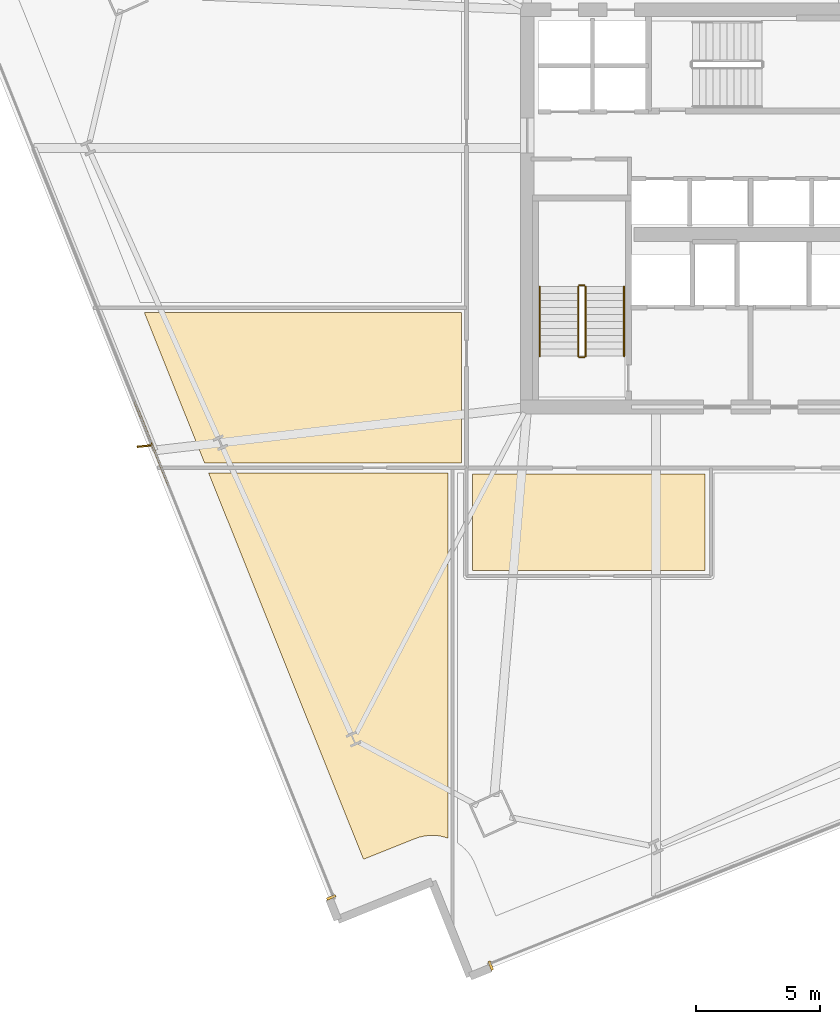
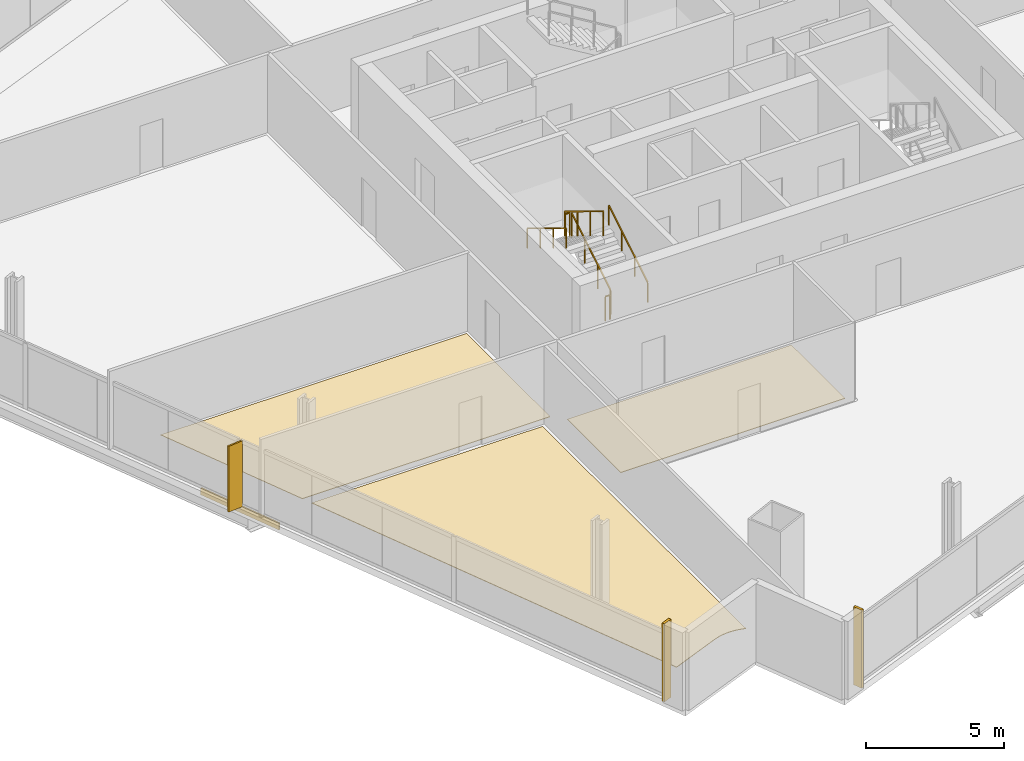
# One storey, part 28 of 33: 6 coverings, 6 railings, 1 shading device.
"""IFC4 building model written with IfcOpenShell, lengths in metres."""

import ifcopenshell
import ifcopenshell.guid

model = None  # the IFC model being written
_history = None  # IfcOwnerHistory: only IFC2X3 demands one
_inside = {}  # id of a spatial element -> (the spatial element, [elements in it])
_under = {}  # id of a project, library or spatial element -> (it, [spatial elements below it])
_declared = {}  # id of a project -> (the project, [libraries it declares])
_typed = {}  # id of a type object -> (the type object, [elements of that type])
_made_of = {}  # id of a material, layer set ... -> (it, [elements and type objects made of it])


def new_model(schema):
    """Start an empty IFC model of exactly this schema.

    Asked for "IFC4X3", IfcOpenShell would pick the latest addendum, in which some entities
    have other attributes; the version numbers below select the first issue.
    IFC2X3 requires an IfcOwnerHistory on every rooted entity: one is made here for all.
    """
    global model, _history
    if schema == "IFC4X3":
        model = ifcopenshell.file(schema_version=(4, 3, 0, 0))
    else:
        model = ifcopenshell.file(schema=schema)
    _inside.clear()
    _under.clear()
    _declared.clear()
    _typed.clear()
    _made_of.clear()
    _history = None
    if model.schema == "IFC2X3":
        org = make("IfcOrganization", Name="unknown")
        user = make(
            "IfcPersonAndOrganization",
            ThePerson=make("IfcPerson", FamilyName="unknown"),
            TheOrganization=org,
        )
        app = make(
            "IfcApplication",
            ApplicationDeveloper=org,
            Version="unknown",
            ApplicationFullName="unknown",
            ApplicationIdentifier="unknown",
        )
        _history = make(
            "IfcOwnerHistory",
            OwningUser=user,
            OwningApplication=app,
            ChangeAction="ADDED",
            CreationDate=0,
        )
    return model


def make(cls, **values):
    """One entity of the class cls with the attributes given. An attribute that is None is left unset."""
    return model.create_entity(
        cls, **{name: value for name, value in values.items() if value is not None}
    )


def rooted(cls, **values):
    """An entity with a GlobalId (a new one), such as an element, a storey or a relation."""
    return make(cls, GlobalId=ifcopenshell.guid.new(), OwnerHistory=_history, **values)


def si_unit(unit_type, name, prefix=None):
    """IfcSIUnit, for example si_unit("LENGTHUNIT", "METRE", prefix="MILLI")."""
    return make("IfcSIUnit", UnitType=unit_type, Prefix=prefix, Name=name)


def assignment(units):
    """IfcUnitAssignment: the units of a project."""
    return None if units is None else make("IfcUnitAssignment", Units=units)


def point(xyz):
    """IfcCartesianPoint."""
    return None if xyz is None else make("IfcCartesianPoint", Coordinates=xyz)


def direction(xyz):
    """IfcDirection."""
    return None if xyz is None else make("IfcDirection", DirectionRatios=xyz)


def frame(location, z_axis=None, x_axis=None):
    """IfcAxis2Placement3D, a coordinate frame: its origin and axes. An axis left out is left unset."""
    return make(
        "IfcAxis2Placement3D",
        Location=point(location),
        Axis=direction(z_axis),
        RefDirection=direction(x_axis),
    )


def frame_2d(location, x_axis=None):
    """IfcAxis2Placement2D, a coordinate frame in the plane: its origin and x axis."""
    return make(
        "IfcAxis2Placement2D", Location=point(location), RefDirection=direction(x_axis)
    )


def origin():
    """The frame at (0, 0, 0) with its axes left unset."""
    return frame((0.0, 0.0, 0.0))


def origin_2d():
    """The frame at (0, 0) in the plane with its x axis left unset."""
    return frame_2d((0.0, 0.0))


def place(relative_to, where):
    """IfcLocalPlacement: puts the frame where relative to a parent placement (None: the world)."""
    return make(
        "IfcLocalPlacement", PlacementRelTo=relative_to, RelativePlacement=where
    )


def context(
    kind, dimensions, precision=None, world=None, true_north=None, identifier=None
):
    """IfcGeometricRepresentationContext, for example the 3D "Model" context."""
    return make(
        "IfcGeometricRepresentationContext",
        ContextIdentifier=identifier,
        ContextType=kind,
        CoordinateSpaceDimension=dimensions,
        Precision=precision,
        WorldCoordinateSystem=world,
        TrueNorth=true_north,
    )


def subcontext(parent, identifier, kind, view, scale=None):
    """IfcGeometricRepresentationSubContext, for example "Body" below "Model"."""
    return make(
        "IfcGeometricRepresentationSubContext",
        ContextIdentifier=identifier,
        ContextType=kind,
        ParentContext=parent,
        TargetScale=scale,
        TargetView=view,
    )


def project(units=None, contexts=None):
    """IfcProject with its units and contexts."""
    return rooted(
        "IfcProject",
        Name="project",
        RepresentationContexts=contexts,
        UnitsInContext=assignment(units),
    )


def spatial(cls, under=None, at=None, **own):
    """A site, building, storey or space (cls), placed at a placement, below another one or the project."""
    s = rooted(cls, ObjectPlacement=at, **own)
    if under is not None:
        _under.setdefault(under.id(), (under, []))[1].append(s)
    return s


def polyline(points):
    """IfcPolyline through the points."""
    return make("IfcPolyline", Points=[point(p) for p in points])


def profile(cls, at=None, kind="AREA", **sizes):
    """A parametric profile (cls). Its sizes go by their IFC names, for example OverallWidth=200.0."""
    return make(cls, ProfileType=kind, Position=at, **sizes)


def rectangle(**sizes):
    """IfcRectangleProfileDef."""
    return profile("IfcRectangleProfileDef", **sizes)


def outline(outer, holes=None, kind="AREA"):
    """IfcArbitraryClosedProfileDef: a profile drawn as a closed curve; with holes, ...WithVoids."""
    if holes is None:
        return make("IfcArbitraryClosedProfileDef", ProfileType=kind, OuterCurve=outer)
    return make(
        "IfcArbitraryProfileDefWithVoids",
        ProfileType=kind,
        OuterCurve=outer,
        InnerCurves=holes,
    )


def extrude(swept, where, along, depth):
    """IfcExtrudedAreaSolid: the profile swept, set in the frame where, extruded along a direction by depth."""
    return make(
        "IfcExtrudedAreaSolid",
        SweptArea=swept,
        Position=where,
        ExtrudedDirection=direction(along),
        Depth=depth,
    )


def shape(context_of_items, identifier, shape_type, items):
    """IfcShapeRepresentation: the items that make up one representation, for example the "Body"."""
    return make(
        "IfcShapeRepresentation",
        ContextOfItems=context_of_items,
        RepresentationIdentifier=identifier,
        RepresentationType=shape_type,
        Items=items,
    )


def source(mapping_origin, context_of_items, identifier, shape_type, items):
    """IfcRepresentationMap: a shape defined once, which mapped items show again and again."""
    return make(
        "IfcRepresentationMap",
        MappingOrigin=mapping_origin,
        MappedRepresentation=shape(context_of_items, identifier, shape_type, items),
    )


def transform(
    local_origin,
    x_axis=None,
    y_axis=None,
    z_axis=None,
    scale=None,
    scale2=None,
    scale3=None,
    uniform=True,
):
    """IfcCartesianTransformationOperator3D, or its non-uniform kind. x_axis, y_axis, z_axis: its Axis1, 2, 3."""
    if uniform:
        return make(
            "IfcCartesianTransformationOperator3D",
            Axis1=direction(x_axis),
            Axis2=direction(y_axis),
            LocalOrigin=point(local_origin),
            Scale=scale,
            Axis3=direction(z_axis),
        )
    return make(
        "IfcCartesianTransformationOperator3DnonUniform",
        Axis1=direction(x_axis),
        Axis2=direction(y_axis),
        LocalOrigin=point(local_origin),
        Scale=scale,
        Axis3=direction(z_axis),
        Scale2=scale2,
        Scale3=scale3,
    )


def mapped(mapping_source, mapping_target):
    """IfcMappedItem: shows the shape of a source again, moved by a transform."""
    return make(
        "IfcMappedItem", MappingSource=mapping_source, MappingTarget=mapping_target
    )


def material(Name=None, Category=None):
    """IfcMaterial."""
    return make("IfcMaterial", Name=Name, Category=Category)


def layer(
    of_material, thickness, ventilated=None, Name=None, Category=None, Priority=None
):
    """IfcMaterialLayer: one layer of a wall or slab, of a material (None: an air gap)."""
    return make(
        "IfcMaterialLayer",
        Material=of_material,
        LayerThickness=thickness,
        IsVentilated=ventilated,
        Name=Name,
        Category=Category,
        Priority=Priority,
    )


def layer_set(layers, Name=None):
    """IfcMaterialLayerSet."""
    return make("IfcMaterialLayerSet", MaterialLayers=layers, LayerSetName=Name)


def made_of(thing, what):
    """Note that an element or type object is made of a material, layer set ...; save() writes the relation."""
    if what is not None:
        _made_of.setdefault(what.id(), (what, []))[1].append(thing)
    return thing


def type_object(cls, material=None, **own):
    """A type object (cls), such as IfcWallType, which elements share."""
    return made_of(rooted(cls, **own), material)


def element(
    cls,
    number,
    at=None,
    inside=None,
    cuts=None,
    type_object=None,
    material=None,
    context=None,
    identifier="Body",
    shape_type=None,
    held_by="IfcProductDefinitionShape",
    body=None,
    shapes=None,
    **own,
):
    """One element of the class cls, such as IfcWall. Its Tag is "e" and its number.

    at: its placement. inside: the storey or other place that contains it. cuts: it is an
    opening in that element (IfcRelVoidsElement). A single representation is given by context,
    identifier, shape_type and body (its items); several are given by shapes. held_by: the class
    of the entity that holds the representations. save() writes the other relations.
    """
    e = rooted(cls, Tag="e%d" % number, ObjectPlacement=at, **own)
    if body is not None:
        shapes = [shape(context, identifier, shape_type, body)]
    if shapes is not None:
        e.Representation = make(held_by, Representations=shapes)
    if inside is not None:
        _inside.setdefault(inside.id(), (inside, []))[1].append(e)
    if cuts is not None:
        rooted(
            "IfcRelVoidsElement", RelatingBuildingElement=cuts, RelatedOpeningElement=e
        )
    if type_object is not None:
        _typed.setdefault(type_object.id(), (type_object, []))[1].append(e)
    return made_of(e, material)


def aggregate(whole, parts):
    """IfcRelAggregates: a whole, such as a stair, and the parts it consists of."""
    return rooted("IfcRelAggregates", RelatingObject=whole, RelatedObjects=parts)


def save(model, path):
    """Write the relations noted so far, then the file.

    IfcRelAggregates (storeys below a building ...), IfcRelContainedInSpatialStructure (elements
    in a storey), IfcRelDefinesByType, IfcRelAssociatesMaterial and IfcRelDeclares: one each for
    every whole, place, type object, material and project.
    """
    for whole, parts in _under.values():
        aggregate(whole, parts)
    for where, things in _inside.values():
        rooted(
            "IfcRelContainedInSpatialStructure",
            RelatedElements=things,
            RelatingStructure=where,
        )
    for kind, things in _typed.values():
        rooted("IfcRelDefinesByType", RelatedObjects=things, RelatingType=kind)
    for what, things in _made_of.values():
        rooted("IfcRelAssociatesMaterial", RelatedObjects=things, RelatingMaterial=what)
    for by, libraries in _declared.values():
        rooted("IfcRelDeclares", RelatingContext=by, RelatedDefinitions=libraries)
    model.write(path)


model = new_model("IFC4")

# Units and contexts
model_context = context("Model", 3, precision=1e-05, world=origin(), true_north=direction((0.0, 1.0)))
body_context = subcontext(model_context, "Body", "Model", "MODEL_VIEW")
ifc_project = project(units=[si_unit("LENGTHUNIT", "METRE"), si_unit("AREAUNIT", "SQUARE_METRE"), si_unit("VOLUMEUNIT", "CUBIC_METRE"), si_unit("PLANEANGLEUNIT", "RADIAN"), si_unit("MASSUNIT", "GRAM", prefix="KILO")], contexts=[model_context])

# Site, building, storey
site_placement = place(None, origin())
site = spatial("IfcSite", under=ifc_project, at=site_placement, CompositionType="ELEMENT")
building_placement = place(site_placement, origin())
building = spatial("IfcBuilding", under=site, at=building_placement, Name="Haldenkirk Collegiate Tower", CompositionType="ELEMENT")
storey_placement = place(building_placement, frame((0.0, 0.0, 101.699951171875)))
storey = spatial("IfcBuildingStorey", under=building, at=storey_placement, Name="L24", CompositionType="ELEMENT", Elevation=101.699951171875)

# Coverings
ifc_material_1 = material(Name="Polished collegiate terrazzo", Category="concrete")
ifc_layer_1 = layer(ifc_material_1, 0.02490234375)
ifc_layer_set_1 = layer_set([ifc_layer_1], Name="Polished collegiate terrazzo")
covering_type_1 = type_object("IfcCoveringType", Name="COV-FLOOR-TERRAZZO", PredefinedType="FLOORING", material=ifc_layer_set_1)
covering_1_placement = place(storey_placement, origin())
element("IfcCovering", 1, at=covering_1_placement, inside=storey, type_object=covering_type_1, Name="L24 academic room finish 02", PredefinedType="FLOORING", context=body_context, shape_type="SweptSolid", body=[
    extrude(outline(polyline([(23.800048828125, 0.63720703125), (23.74169921875, 0.658935546875), (23.73046875, 0.66259765625), (23.564208984375, 0.7060546875), (23.552734375, 0.70849609375), (23.383056640625, 0.735595703125), (23.37158203125, 0.73681640625), (23.2001953125, 0.747314453125), (23.188232421875, 0.747314453125), (23.0166015625, 0.740966796875), (23.0048828125, 0.739990234375), (22.834716796875, 0.716552734375), (22.8232421875, 0.71435546875), (22.656005859375, 0.674560546875), (22.644775390625, 0.67138671875), (22.482421875, 0.615234375), (22.476806640625, 0.61328125), (20.406982421875, -0.216796875), (14.1650390625, 15.35009765625), (23.800048828125, 15.35009765625), (23.800048828125, 0.63720703125)])), origin(), (0.0, 0.0, 1.0), 0.025146484375),
])
ifc_material_2 = material(Name="Engineered collegiate oak acoustic flooring", Category="wood")
ifc_layer_2 = layer(ifc_material_2, 0.02197265625)
ifc_layer_set_2 = layer_set([ifc_layer_2], Name="Engineered collegiate oak acoustic flooring")
covering_type_2 = type_object("IfcCoveringType", Name="COV-FLOOR-TIMBER", PredefinedType="FLOORING", material=ifc_layer_set_2)
covering_2_placement = place(storey_placement, origin())
element("IfcCovering", 2, at=covering_2_placement, inside=storey, type_object=covering_type_2, Name="L24 academic room finish 01", PredefinedType="FLOORING", context=body_context, shape_type="SweptSolid", body=[
    extrude(outline(polyline([(24.800048828125, 11.419921875), (24.800048828125, 15.300048828125), (34.159912109375, 15.300048828125), (34.159912109375, 11.419921875), (24.800048828125, 11.419921875)])), origin(), (0.0, 0.0, 1.0), 0.02197265625),
])
covering_3_placement = place(storey_placement, origin())
element("IfcCovering", 3, at=covering_3_placement, inside=storey, type_object=covering_type_2, Name="L24 academic room finish 07", PredefinedType="FLOORING", context=body_context, shape_type="SweptSolid", body=[
    extrude(outline(polyline([(11.578857421875, 21.800048828125), (24.35009765625, 21.800048828125), (24.35009765625, 15.75), (14.004638671875, 15.75), (11.578857421875, 21.800048828125)])), origin(), (0.0, 0.0, 1.0), 0.02197265625),
])

# Railings
ifc_material_3 = material(Name="Painted architectural tubular steel", Category="steel")
railing_type_1 = type_object("IfcRailingType", Name="RLG-STAIR-GUARD-1100", PredefinedType="BALUSTRADE", material=ifc_material_3)
railing_1_placement = place(storey_placement, frame((29.35009765625, 20.050048828125, 0.17041015625)))
element("IfcRailing", 4, at=railing_1_placement, inside=storey, type_object=railing_type_1, Name="L24 ST-1 stair guard 1", PredefinedType="BALUSTRADE", context=body_context, shape_type="SweptSolid", body=[
    extrude(rectangle(XDim=0.048095703125, YDim=0.048095703125, at=origin_2d()), frame((0.0, 0.0, 1.076171875), z_axis=(0.0, 0.854169791009, 0.51999420009), x_axis=(-1.0, 0.0, 0.0)), (0.0, 0.0, 1.0), 3.278076171875),
    extrude(rectangle(XDim=0.0419921875, YDim=0.0419921875, at=origin_2d()), origin(), (0.0, 0.0, 1.0), 1.052001953125),
    extrude(rectangle(XDim=0.0419921875, YDim=0.0419921875, at=origin_2d()), frame((0.0, 0.933349609375, 0.568115234375)), (0.0, 0.0, 1.0), 1.052001953125),
    extrude(rectangle(XDim=0.0419921875, YDim=0.0419921875, at=origin_2d()), frame((0.0, 1.86669921875, 1.136474609375)), (0.0, 0.0, 1.0), 1.052001953125),
    extrude(rectangle(XDim=0.0419921875, YDim=0.0419921875, at=origin_2d()), frame((0.0, 2.800048828125, 1.70458984375)), (0.0, 0.0, 1.0), 1.052001953125),
])
railing_2_placement = place(storey_placement, frame((29.300048828125, 22.89990234375, 1.875)))
element("IfcRailing", 5, at=railing_2_placement, inside=storey, type_object=railing_type_1, Name="L24 ST-1 stair guard 2", PredefinedType="BALUSTRADE", context=body_context, shape_type="SweptSolid", body=[
    extrude(rectangle(XDim=0.048095703125, YDim=0.048095703125, at=origin_2d()), frame((0.0, 0.0, 1.076171875), z_axis=(-1.0, 0.0, 0.0), x_axis=(0.0, -1.0, 0.0)), (0.0, 0.0, 1.0), 0.199951171875),
    extrude(rectangle(XDim=0.0419921875, YDim=0.0419921875, at=origin_2d()), origin(), (0.0, 0.0, 1.0), 1.052001953125),
    extrude(rectangle(XDim=0.0419921875, YDim=0.0419921875, at=origin_2d()), frame((-0.199951171875, 0.0, 0.0)), (0.0, 0.0, 1.0), 1.052001953125),
])
railing_3_placement = place(storey_placement, frame((29.050048828125, 22.85009765625, 2.04541015625)))
element("IfcRailing", 6, at=railing_3_placement, inside=storey, type_object=railing_type_1, Name="L24 ST-1 stair guard 3", PredefinedType="BALUSTRADE", context=body_context, shape_type="SweptSolid", body=[
    extrude(rectangle(XDim=0.048095703125, YDim=0.048095703125, at=origin_2d()), frame((0.0, 0.0, 1.076171875), z_axis=(0.0, -0.854169791009, 0.51999420009), x_axis=(1.0, 0.0, 0.0)), (0.0, 0.0, 1.0), 3.278076171875),
    extrude(rectangle(XDim=0.0419921875, YDim=0.0419921875, at=origin_2d()), origin(), (0.0, 0.0, 1.0), 1.052001953125),
    extrude(rectangle(XDim=0.0419921875, YDim=0.0419921875, at=origin_2d()), frame((0.0, -0.933349609375, 0.568115234375)), (0.0, 0.0, 1.0), 1.052001953125),
    extrude(rectangle(XDim=0.0419921875, YDim=0.0419921875, at=origin_2d()), frame((0.0, -1.86669921875, 1.136474609375)), (0.0, 0.0, 1.0), 1.052001953125),
    extrude(rectangle(XDim=0.0419921875, YDim=0.0419921875, at=origin_2d()), frame((0.0, -2.800048828125, 1.70458984375)), (0.0, 0.0, 1.0), 1.052001953125),
])
railing_4_placement = place(storey_placement, frame((29.300048828125, 20.0, 0.0)))
element("IfcRailing", 7, at=railing_4_placement, inside=storey, type_object=railing_type_1, Name="L24 ST-1 stair guard 4", PredefinedType="BALUSTRADE", context=body_context, shape_type="SweptSolid", body=[
    extrude(rectangle(XDim=0.048095703125, YDim=0.048095703125, at=origin_2d()), frame((0.0, 0.0, 1.076171875), z_axis=(-1.0, 0.0, 0.0), x_axis=(0.0, -1.0, 0.0)), (0.0, 0.0, 1.0), 0.199951171875),
    extrude(rectangle(XDim=0.0419921875, YDim=0.0419921875, at=origin_2d()), origin(), (0.0, 0.0, 1.0), 1.052001953125),
    extrude(rectangle(XDim=0.0419921875, YDim=0.0419921875, at=origin_2d()), frame((-0.199951171875, 0.0, 0.0)), (0.0, 0.0, 1.0), 1.052001953125),
])
railing_type_2 = type_object("IfcRailingType", Name="RLG-STAIR-HANDRAIL-900", PredefinedType="HANDRAIL", material=ifc_material_3)
railing_5_placement = place(storey_placement, frame((30.89990234375, 20.050048828125, 0.17041015625)))
element("IfcRailing", 8, at=railing_5_placement, inside=storey, type_object=railing_type_2, Name="L24 ST-1 stair handrail 1", PredefinedType="HANDRAIL", context=body_context, shape_type="SweptSolid", body=[
    extrude(rectangle(XDim=0.048095703125, YDim=0.048095703125, at=origin_2d()), frame((0.0, 0.0, 0.8759765625), z_axis=(0.0, 0.854169791009, 0.51999420009), x_axis=(-1.0, 0.0, 0.0)), (0.0, 0.0, 1.0), 3.278076171875),
    extrude(rectangle(XDim=0.0419921875, YDim=0.0419921875, at=origin_2d()), origin(), (0.0, 0.0, 1.0), 0.851806640625),
    extrude(rectangle(XDim=0.0419921875, YDim=0.0419921875, at=origin_2d()), frame((0.0, 0.933349609375, 0.568115234375)), (0.0, 0.0, 1.0), 0.851806640625),
    extrude(rectangle(XDim=0.0419921875, YDim=0.0419921875, at=origin_2d()), frame((0.0, 1.86669921875, 1.136474609375)), (0.0, 0.0, 1.0), 0.851806640625),
    extrude(rectangle(XDim=0.0419921875, YDim=0.0419921875, at=origin_2d()), frame((0.0, 2.800048828125, 1.70458984375)), (0.0, 0.0, 1.0), 0.851806640625),
])
railing_6_placement = place(storey_placement, frame((27.5, 22.85009765625, 2.04541015625)))
element("IfcRailing", 9, at=railing_6_placement, inside=storey, type_object=railing_type_2, Name="L24 ST-1 stair handrail 2", PredefinedType="HANDRAIL", context=body_context, shape_type="SweptSolid", body=[
    extrude(rectangle(XDim=0.048095703125, YDim=0.048095703125, at=origin_2d()), frame((0.0, 0.0, 0.8759765625), z_axis=(0.0, -0.854169791009, 0.51999420009), x_axis=(1.0, 0.0, 0.0)), (0.0, 0.0, 1.0), 3.278076171875),
    extrude(rectangle(XDim=0.0419921875, YDim=0.0419921875, at=origin_2d()), origin(), (0.0, 0.0, 1.0), 0.851806640625),
    extrude(rectangle(XDim=0.0419921875, YDim=0.0419921875, at=origin_2d()), frame((0.0, -0.933349609375, 0.568115234375)), (0.0, 0.0, 1.0), 0.851806640625),
    extrude(rectangle(XDim=0.0419921875, YDim=0.0419921875, at=origin_2d()), frame((0.0, -1.86669921875, 1.136474609375)), (0.0, 0.0, 1.0), 0.851806640625),
    extrude(rectangle(XDim=0.0419921875, YDim=0.0419921875, at=origin_2d()), frame((0.0, -2.800048828125, 1.70458984375)), (0.0, 0.0, 1.0), 0.851806640625),
])

# Coverings
ifc_material_4 = material(Name="Anodised architectural bronze aluminium", Category="aluminium")
ifc_layer_3 = layer(ifc_material_4, 0.06005859375)
ifc_layer_set_3 = layer_set([ifc_layer_3], Name="Anodised architectural bronze aluminium")
covering_type_3 = type_object("IfcCoveringType", Name="COV-CLAD-BRONZE-60", PredefinedType="CLADDING", material=ifc_layer_set_3)
shared_shape_1 = source(origin(), body_context, "Body", "SweptSolid", [
    extrude(rectangle(XDim=3.60009765625, YDim=0.06005859375, at=origin_2d()), origin(), (0.0, 0.0, 1.0), 0.300048828125),
])
covering_4_placement = place(storey_placement, frame((11.86767578125, 16.538818359375, -0.2998046875), z_axis=(0.0, 0.0, 1.0), x_axis=(-0.372177950778, 0.928161393808, 0.0)))
element("IfcCovering", 10, at=covering_4_placement, inside=storey, type_object=covering_type_3, Name="L24 architectural bronze spandrel cladding W", PredefinedType="CLADDING", context=body_context, shape_type="MappedRepresentation", body=[
    mapped(shared_shape_1, transform((0.0, 0.0, 0.0), x_axis=(1.0, 0.0, 0.0), y_axis=(0.0, 1.0, 0.0), z_axis=(0.0, 0.0, 1.0), scale=1.0)),
])
shared_shape_2 = source(origin(), body_context, "Body", "SweptSolid", [
    extrude(rectangle(XDim=0.10009765625, YDim=0.3798828125, at=origin_2d()), origin(), (0.0, 0.0, 1.0), 3.449951171875),
])
for number, where, z_axis, x_axis, name in (
    (11, (25.5283203125, -4.498291015625, 0.0), (0.0, 0.0, 1.0), (-0.928161393808, -0.372177950778, 0.0), "L24 recessed curtain-wall bronze jamb closure SJR"),
    (12, (19.104736328125, -1.751708984375, 0.0), (0.0, 0.0, 1.0), (-0.372177950778, 0.928161393808, 0.0), "L24 recessed curtain-wall bronze jamb closure WJL"),
):
    element("IfcCovering", number, at=place(storey_placement, frame(where, z_axis=z_axis, x_axis=x_axis)), inside=storey, type_object=covering_type_3, Name=name, PredefinedType="CLADDING", context=body_context, shape_type="MappedRepresentation", body=[
        mapped(shared_shape_2, transform((0.0, 0.0, 0.0), x_axis=(1.0, 0.0, 0.0), y_axis=(0.0, 1.0, 0.0), z_axis=(0.0, 0.0, 1.0), scale=1.0)),
    ])

# Shading device
ifc_layer_4 = layer(ifc_material_4, 0.06494140625)
ifc_layer_set_4 = layer_set([ifc_layer_4], Name="Anodised architectural bronze aluminium")
shading_device_type = type_object("IfcShadingDeviceType", Name="SHD-FIN-BRONZE-620", PredefinedType="USERDEFINED", material=ifc_layer_set_4)
shared_shape_3 = source(origin(), body_context, "Body", "SweptSolid", [
    extrude(rectangle(XDim=0.6201171875, YDim=0.06494140625, at=origin_2d()), origin(), (0.0, 0.0, 1.0), 2.90087890625),
])
shading_device_placement = place(storey_placement, frame((11.59375, 16.428955078125, 0.0), z_axis=(0.0, 0.0, 1.0), x_axis=(-0.994792141762, -0.101924455795, 0.0)))
element("IfcShadingDevice", 13, at=shading_device_placement, inside=storey, type_object=shading_device_type, Name="L24 folded bronze solar fin 1", ObjectType="FIN", PredefinedType="USERDEFINED", context=body_context, shape_type="MappedRepresentation", body=[
    mapped(shared_shape_3, transform((0.0, 0.0, 0.0), x_axis=(1.0, 0.0, 0.0), y_axis=(0.0, 1.0, 0.0), z_axis=(0.0, 0.0, 1.0), scale=1.0)),
])

save(model, "model.ifc")
